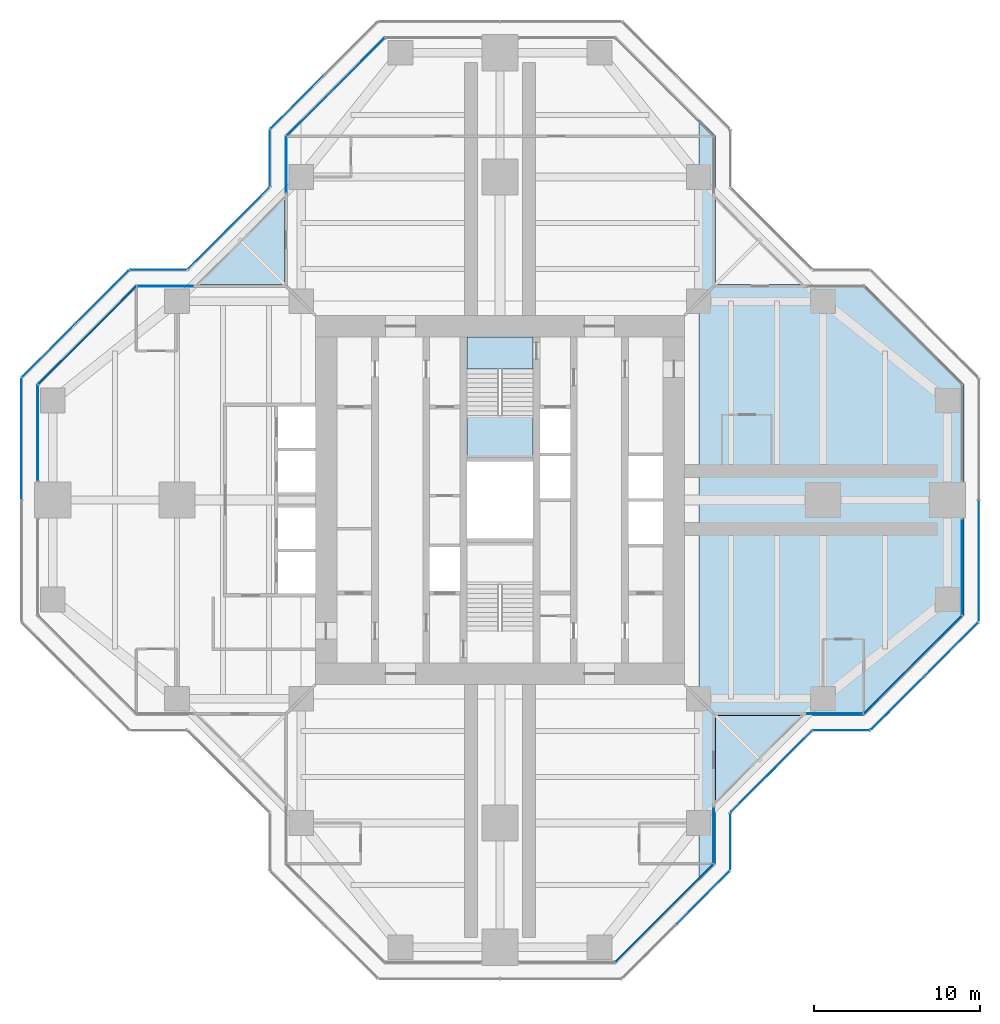
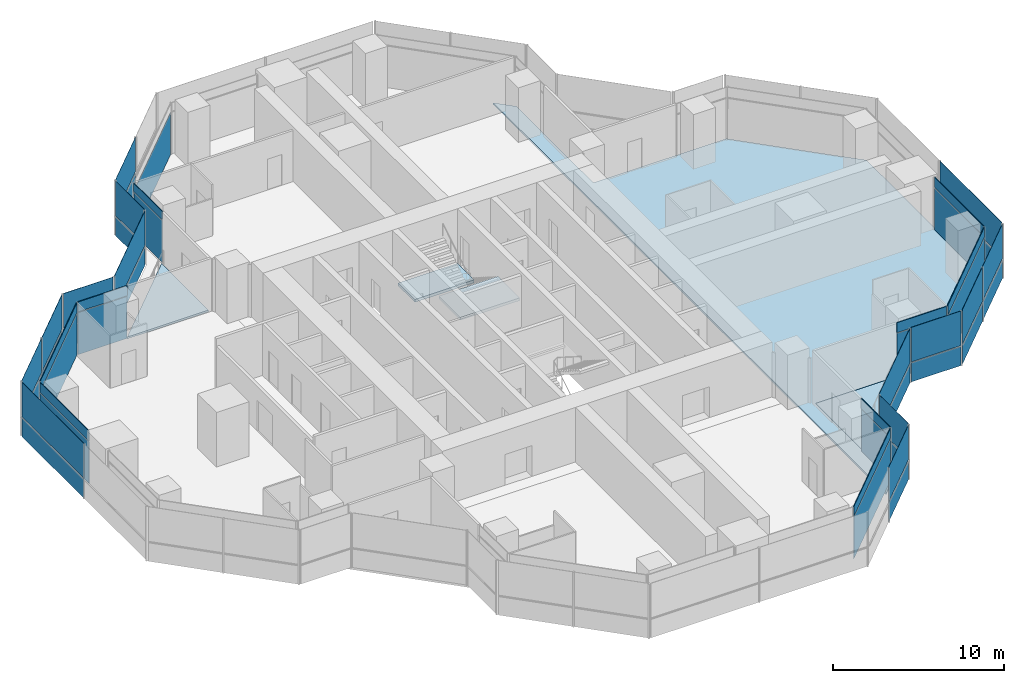
# One storey, part 11 of 17: 47 plates, 5 slabs, 23 elements without a shape of their own.
"""IFC4 building model written with IfcOpenShell, lengths in metres."""

from ifc_helpers import new_model, si_unit, direction, frame, origin, origin_2d, place, context, subcontext, project, spatial, polyline, rectangle, outline, extrude, material, layer, layer_set, type_object, element, aggregate, save


model = new_model("IFC4")

# Units and contexts
model_context = context("Model", 3, precision=1e-05, world=origin(), true_north=direction((0.0, 1.0)))
body_context = subcontext(model_context, "Body", "Model", "MODEL_VIEW")
ifc_project = project(units=[si_unit("LENGTHUNIT", "METRE"), si_unit("AREAUNIT", "SQUARE_METRE"), si_unit("VOLUMEUNIT", "CUBIC_METRE"), si_unit("PLANEANGLEUNIT", "RADIAN"), si_unit("MASSUNIT", "GRAM", prefix="KILO")], contexts=[model_context])

# Site, building, storey
site_placement = place(None, origin())
site = spatial("IfcSite", under=ifc_project, at=site_placement, CompositionType="ELEMENT")
building_placement = place(site_placement, origin())
building = spatial("IfcBuilding", under=site, at=building_placement, Name="Mizan Broadcast Tower", CompositionType="ELEMENT")
storey_placement = place(building_placement, frame((0.0, 0.0, 263.39990234375)))
storey = spatial("IfcBuildingStorey", under=building, at=storey_placement, Name="L62", CompositionType="ELEMENT", Elevation=263.39990234375)

# Slab
ifc_material_1 = material(Name="Concrete C32/40", Category="concrete")
ifc_layer_1 = layer(ifc_material_1, 0.1298828125)
ifc_layer_set_1 = layer_set([ifc_layer_1], Name="Concrete C32/40")
slab_type_1 = type_object("IfcSlabType", Name="COMPOSITE DECK SLAB 130", PredefinedType="FLOOR", material=ifc_layer_set_1)
slab_1_placement = place(storey_placement, frame((0.0, 0.0, -0.1298828125)))
element("IfcSlab", 1, at=slab_1_placement, inside=storey, type_object=slab_type_1, Name="Floor slab L62 east arm", PredefinedType="FLOOR", context=body_context, shape_type="SweptSolid", body=[
    extrude(outline(polyline([(13.0, 22.0), (12.0, 23.0), (12.0, -23.0), (13.0, -22.0), (13.0, -13.0), (22.0, -13.0), (28.0, -7.0), (28.0, 7.0), (22.0, 13.0), (13.0, 13.0), (13.0, 22.0)])), origin(), (0.0, 0.0, 1.0), 0.1298828125),
])

# Curtain wall, plate
ifc_material_2 = material(Name="Aluminium framed glazing", Category="aluminium")
curtain_wall_type_1 = type_object("IfcCurtainWallType", Name="INNER SKIN HIGH ZONE", PredefinedType="USERDEFINED", material=ifc_material_2)
curtain_wall_1_placement = place(storey_placement, origin())
curtain_wall_1 = element("IfcCurtainWall", 2, at=curtain_wall_1_placement, inside=storey, type_object=curtain_wall_type_1, Name="Inner skin high zone L62 E side", ObjectType="INNER SKIN HIGH ZONE", PredefinedType="USERDEFINED")
ifc_material_3 = material(Name="Double glazing, clear low-e", Category="glass")
ifc_layer_2 = layer(ifc_material_3, 0.028076171875)
ifc_layer_set_2 = layer_set([ifc_layer_2], Name="Double glazing, clear low-e")
plate_type_1 = type_object("IfcPlateType", Name="INNER SKIN GLAZING UNIT", PredefinedType="CURTAIN_PANEL", material=ifc_layer_set_2)
plate_1_placement = place(storey_placement, frame((20.229248046875, -12.89990234375, 0.0), z_axis=(0.0, 0.0, 1.0), x_axis=(1.0, 0.0, 0.0)))
plate_1 = element("IfcPlate", 3, at=plate_1_placement, type_object=plate_type_1, Name="Inner skin high zone L62 E side panel 1.1", PredefinedType="CURTAIN_PANEL", context=body_context, shape_type="SweptSolid", body=[
    extrude(rectangle(XDim=3.338623046875, YDim=0.028076171875, at=origin_2d()), origin(), (0.0, 0.0, 1.0), 3.0),
])

curtain_wall_2_placement = place(storey_placement, origin())
curtain_wall_2 = element("IfcCurtainWall", 4, at=curtain_wall_2_placement, inside=storey, type_object=curtain_wall_type_1, Name="Inner skin high zone L62 E chamfer", ObjectType="INNER SKIN HIGH ZONE", PredefinedType="USERDEFINED")
plate_2_placement = place(storey_placement, frame((24.92919921875, -9.92919921875, 0.0), z_axis=(0.0, 0.0, 1.0), x_axis=(0.707106781187, 0.707106781187, 0.0)))
plate_2 = element("IfcPlate", 5, at=plate_2_placement, type_object=plate_type_1, Name="Inner skin high zone L62 E chamfer panel 1.1", PredefinedType="CURTAIN_PANEL", context=body_context, shape_type="SweptSolid", body=[
    extrude(rectangle(XDim=8.282470703125, YDim=0.028076171875, at=origin_2d()), origin(), (0.0, 0.0, 1.0), 3.0),
])

curtain_wall_3_placement = place(storey_placement, origin())
curtain_wall_3 = element("IfcCurtainWall", 6, at=curtain_wall_3_placement, inside=storey, type_object=curtain_wall_type_1, Name="Inner skin high zone L62 E end", ObjectType="INNER SKIN HIGH ZONE", PredefinedType="USERDEFINED")
plate_3_placement = place(storey_placement, frame((27.89990234375, -4.029296875, 0.0), z_axis=(0.0, 0.0, 1.0), x_axis=(0.0, 1.0, 0.0)))
plate_3 = element("IfcPlate", 7, at=plate_3_placement, type_object=plate_type_1, Name="Inner skin high zone L62 E end panel 1.1", PredefinedType="CURTAIN_PANEL", context=body_context, shape_type="SweptSolid", body=[
    extrude(rectangle(XDim=5.738525390625, YDim=0.028076171875, at=origin_2d()), origin(), (0.0, 0.0, 1.0), 3.0),
])

curtain_wall_4_placement = place(storey_placement, origin())
curtain_wall_4 = element("IfcCurtainWall", 8, at=curtain_wall_4_placement, inside=storey, type_object=curtain_wall_type_1, Name="Inner skin high zone L62 N chamfer", ObjectType="INNER SKIN HIGH ZONE", PredefinedType="USERDEFINED")
plate_4_placement = place(storey_placement, frame((-9.92919921875, 24.92919921875, 0.0), z_axis=(0.0, 0.0, 1.0), x_axis=(-0.707106781187, -0.707106781187, 0.0)))
plate_4 = element("IfcPlate", 9, at=plate_4_placement, type_object=plate_type_1, Name="Inner skin high zone L62 N chamfer panel 1.1", PredefinedType="CURTAIN_PANEL", context=body_context, shape_type="SweptSolid", body=[
    extrude(rectangle(XDim=8.282470703125, YDim=0.028076171875, at=origin_2d()), origin(), (0.0, 0.0, 1.0), 3.0),
])
aggregate(curtain_wall_4, [plate_4])

curtain_wall_5_placement = place(storey_placement, origin())
curtain_wall_5 = element("IfcCurtainWall", 10, at=curtain_wall_5_placement, inside=storey, type_object=curtain_wall_type_1, Name="Inner skin high zone L62 N side", ObjectType="INNER SKIN HIGH ZONE", PredefinedType="USERDEFINED")
plate_5_placement = place(storey_placement, frame((-12.89990234375, 20.229248046875, 0.0), z_axis=(0.0, 0.0, 1.0), x_axis=(0.0, -1.0, 0.0)))
plate_5 = element("IfcPlate", 11, at=plate_5_placement, type_object=plate_type_1, Name="Inner skin high zone L62 N side panel 1.1", PredefinedType="CURTAIN_PANEL", context=body_context, shape_type="SweptSolid", body=[
    extrude(rectangle(XDim=3.338623046875, YDim=0.028076171875, at=origin_2d()), origin(), (0.0, 0.0, 1.0), 3.0),
])

curtain_wall_6_placement = place(storey_placement, origin())
curtain_wall_6 = element("IfcCurtainWall", 12, at=curtain_wall_6_placement, inside=storey, type_object=curtain_wall_type_1, Name="Inner skin high zone L62 W side", ObjectType="INNER SKIN HIGH ZONE", PredefinedType="USERDEFINED")
plate_6_placement = place(storey_placement, frame((-20.229248046875, 12.89990234375, 0.0), z_axis=(0.0, 0.0, 1.0), x_axis=(-1.0, 0.0, 0.0)))
plate_6 = element("IfcPlate", 13, at=plate_6_placement, type_object=plate_type_1, Name="Inner skin high zone L62 W side panel 1.1", PredefinedType="CURTAIN_PANEL", context=body_context, shape_type="SweptSolid", body=[
    extrude(rectangle(XDim=3.338623046875, YDim=0.028076171875, at=origin_2d()), origin(), (0.0, 0.0, 1.0), 3.0),
])

curtain_wall_7_placement = place(storey_placement, origin())
curtain_wall_7 = element("IfcCurtainWall", 14, at=curtain_wall_7_placement, inside=storey, type_object=curtain_wall_type_1, Name="Inner skin high zone L62 W chamfer", ObjectType="INNER SKIN HIGH ZONE", PredefinedType="USERDEFINED")
plate_7_placement = place(storey_placement, frame((-24.92919921875, 9.92919921875, 0.0), z_axis=(0.0, 0.0, 1.0), x_axis=(-0.707106781187, -0.707106781187, 0.0)))
plate_7 = element("IfcPlate", 15, at=plate_7_placement, type_object=plate_type_1, Name="Inner skin high zone L62 W chamfer panel 1.1", PredefinedType="CURTAIN_PANEL", context=body_context, shape_type="SweptSolid", body=[
    extrude(rectangle(XDim=8.282470703125, YDim=0.028076171875, at=origin_2d()), origin(), (0.0, 0.0, 1.0), 3.0),
])

curtain_wall_8_placement = place(storey_placement, origin())
curtain_wall_8 = element("IfcCurtainWall", 16, at=curtain_wall_8_placement, inside=storey, type_object=curtain_wall_type_1, Name="Inner skin high zone L62 W end", ObjectType="INNER SKIN HIGH ZONE", PredefinedType="USERDEFINED")
plate_8_placement = place(storey_placement, frame((-27.89990234375, 4.029296875, 0.0), z_axis=(0.0, 0.0, 1.0), x_axis=(0.0, -1.0, 0.0)))
plate_8 = element("IfcPlate", 17, at=plate_8_placement, type_object=plate_type_1, Name="Inner skin high zone L62 W end panel 1.1", PredefinedType="CURTAIN_PANEL", context=body_context, shape_type="SweptSolid", body=[
    extrude(rectangle(XDim=5.738525390625, YDim=0.028076171875, at=origin_2d()), origin(), (0.0, 0.0, 1.0), 3.0),
])

curtain_wall_9_placement = place(storey_placement, origin())
curtain_wall_9 = element("IfcCurtainWall", 18, at=curtain_wall_9_placement, inside=storey, type_object=curtain_wall_type_1, Name="Inner skin high zone L62 S chamfer", ObjectType="INNER SKIN HIGH ZONE", PredefinedType="USERDEFINED")
plate_9_placement = place(storey_placement, frame((9.92919921875, -24.92919921875, 0.0), z_axis=(0.0, 0.0, 1.0), x_axis=(0.707106781187, 0.707106781187, 0.0)))
plate_9 = element("IfcPlate", 19, at=plate_9_placement, type_object=plate_type_1, Name="Inner skin high zone L62 S chamfer panel 1.1", PredefinedType="CURTAIN_PANEL", context=body_context, shape_type="SweptSolid", body=[
    extrude(rectangle(XDim=8.282470703125, YDim=0.028076171875, at=origin_2d()), origin(), (0.0, 0.0, 1.0), 3.0),
])

curtain_wall_10_placement = place(storey_placement, origin())
curtain_wall_10 = element("IfcCurtainWall", 20, at=curtain_wall_10_placement, inside=storey, type_object=curtain_wall_type_1, Name="Inner skin high zone L62 S side", ObjectType="INNER SKIN HIGH ZONE", PredefinedType="USERDEFINED")
plate_10_placement = place(storey_placement, frame((12.89990234375, -20.229248046875, 0.0), z_axis=(0.0, 0.0, 1.0), x_axis=(0.0, 1.0, 0.0)))
plate_10 = element("IfcPlate", 21, at=plate_10_placement, type_object=plate_type_1, Name="Inner skin high zone L62 S side panel 1.1", PredefinedType="CURTAIN_PANEL", context=body_context, shape_type="SweptSolid", body=[
    extrude(rectangle(XDim=3.338623046875, YDim=0.028076171875, at=origin_2d()), origin(), (0.0, 0.0, 1.0), 3.0),
])

# Plate
ifc_material_4 = material(Name="Insulated aluminium spandrel panel, pale anodised", Category="aluminium")
ifc_layer_3 = layer(ifc_material_4, 0.050048828125)
ifc_layer_set_3 = layer_set([ifc_layer_3], Name="Insulated aluminium spandrel panel, pale anodised")
plate_type_2 = type_object("IfcPlateType", Name="INNER SKIN SPANDREL PANEL", PredefinedType="CURTAIN_PANEL", material=ifc_layer_set_3)
plate_11_placement = place(storey_placement, frame((20.229248046875, -12.89990234375, 3.06005859375), z_axis=(0.0, 0.0, 1.0), x_axis=(1.0, 0.0, 0.0)))
plate_11 = element("IfcPlate", 22, at=plate_11_placement, type_object=plate_type_2, Name="Inner skin high zone L62 E side panel 1.2", PredefinedType="CURTAIN_PANEL", context=body_context, shape_type="SweptSolid", body=[
    extrude(rectangle(XDim=3.338623046875, YDim=0.050048828125, at=origin_2d()), origin(), (0.0, 0.0, 1.0), 0.7099609375),
])

aggregate(curtain_wall_1, [plate_1, plate_11])

plate_12_placement = place(storey_placement, frame((24.92919921875, -9.92919921875, 3.06005859375), z_axis=(0.0, 0.0, 1.0), x_axis=(0.707106781187, 0.707106781187, 0.0)))
plate_12 = element("IfcPlate", 23, at=plate_12_placement, type_object=plate_type_2, Name="Inner skin high zone L62 E chamfer panel 1.2", PredefinedType="CURTAIN_PANEL", context=body_context, shape_type="SweptSolid", body=[
    extrude(rectangle(XDim=8.282470703125, YDim=0.050048828125, at=origin_2d()), origin(), (0.0, 0.0, 1.0), 0.7099609375),
])

aggregate(curtain_wall_2, [plate_2, plate_12])

plate_13_placement = place(storey_placement, frame((27.89990234375, -4.029296875, 3.06005859375), z_axis=(0.0, 0.0, 1.0), x_axis=(0.0, 1.0, 0.0)))
plate_13 = element("IfcPlate", 24, at=plate_13_placement, type_object=plate_type_2, Name="Inner skin high zone L62 E end panel 1.2", PredefinedType="CURTAIN_PANEL", context=body_context, shape_type="SweptSolid", body=[
    extrude(rectangle(XDim=5.738525390625, YDim=0.050048828125, at=origin_2d()), origin(), (0.0, 0.0, 1.0), 0.7099609375),
])

aggregate(curtain_wall_3, [plate_3, plate_13])

plate_14_placement = place(storey_placement, frame((-12.89990234375, 20.229248046875, 3.06005859375), z_axis=(0.0, 0.0, 1.0), x_axis=(0.0, -1.0, 0.0)))
plate_14 = element("IfcPlate", 25, at=plate_14_placement, type_object=plate_type_2, Name="Inner skin high zone L62 N side panel 1.2", PredefinedType="CURTAIN_PANEL", context=body_context, shape_type="SweptSolid", body=[
    extrude(rectangle(XDim=3.338623046875, YDim=0.050048828125, at=origin_2d()), origin(), (0.0, 0.0, 1.0), 0.590087890625),
])

aggregate(curtain_wall_5, [plate_5, plate_14])

plate_15_placement = place(storey_placement, frame((-20.229248046875, 12.89990234375, 3.06005859375), z_axis=(0.0, 0.0, 1.0), x_axis=(-1.0, 0.0, 0.0)))
plate_15 = element("IfcPlate", 26, at=plate_15_placement, type_object=plate_type_2, Name="Inner skin high zone L62 W side panel 1.2", PredefinedType="CURTAIN_PANEL", context=body_context, shape_type="SweptSolid", body=[
    extrude(rectangle(XDim=3.338623046875, YDim=0.050048828125, at=origin_2d()), origin(), (0.0, 0.0, 1.0), 0.7099609375),
])

aggregate(curtain_wall_6, [plate_6, plate_15])

plate_16_placement = place(storey_placement, frame((-24.92919921875, 9.92919921875, 3.06005859375), z_axis=(0.0, 0.0, 1.0), x_axis=(-0.707106781187, -0.707106781187, 0.0)))
plate_16 = element("IfcPlate", 27, at=plate_16_placement, type_object=plate_type_2, Name="Inner skin high zone L62 W chamfer panel 1.2", PredefinedType="CURTAIN_PANEL", context=body_context, shape_type="SweptSolid", body=[
    extrude(rectangle(XDim=8.282470703125, YDim=0.050048828125, at=origin_2d()), origin(), (0.0, 0.0, 1.0), 0.7099609375),
])

aggregate(curtain_wall_7, [plate_7, plate_16])

plate_17_placement = place(storey_placement, frame((-27.89990234375, 4.029296875, 3.06005859375), z_axis=(0.0, 0.0, 1.0), x_axis=(0.0, -1.0, 0.0)))
plate_17 = element("IfcPlate", 28, at=plate_17_placement, type_object=plate_type_2, Name="Inner skin high zone L62 W end panel 1.2", PredefinedType="CURTAIN_PANEL", context=body_context, shape_type="SweptSolid", body=[
    extrude(rectangle(XDim=5.738525390625, YDim=0.050048828125, at=origin_2d()), origin(), (0.0, 0.0, 1.0), 0.7099609375),
])

aggregate(curtain_wall_8, [plate_8, plate_17])

plate_18_placement = place(storey_placement, frame((9.92919921875, -24.92919921875, 3.06005859375), z_axis=(0.0, 0.0, 1.0), x_axis=(0.707106781187, 0.707106781187, 0.0)))
plate_18 = element("IfcPlate", 29, at=plate_18_placement, type_object=plate_type_2, Name="Inner skin high zone L62 S chamfer panel 1.2", PredefinedType="CURTAIN_PANEL", context=body_context, shape_type="SweptSolid", body=[
    extrude(rectangle(XDim=8.282470703125, YDim=0.050048828125, at=origin_2d()), origin(), (0.0, 0.0, 1.0), 0.7099609375),
])

aggregate(curtain_wall_9, [plate_9, plate_18])

plate_19_placement = place(storey_placement, frame((12.89990234375, -20.229248046875, 3.06005859375), z_axis=(0.0, 0.0, 1.0), x_axis=(0.0, 1.0, 0.0)))
plate_19 = element("IfcPlate", 30, at=plate_19_placement, type_object=plate_type_2, Name="Inner skin high zone L62 S side panel 1.2", PredefinedType="CURTAIN_PANEL", context=body_context, shape_type="SweptSolid", body=[
    extrude(rectangle(XDim=3.338623046875, YDim=0.050048828125, at=origin_2d()), origin(), (0.0, 0.0, 1.0), 0.7099609375),
])

aggregate(curtain_wall_10, [plate_10, plate_19])

# Curtain wall, plates
ifc_material_5 = material(Name="Aluminium framed glazing", Category="aluminium")
curtain_wall_type_2 = type_object("IfcCurtainWallType", Name="OUTER SKIN", PredefinedType="USERDEFINED", material=ifc_material_5)
curtain_wall_11_placement = place(storey_placement, origin())
curtain_wall_11 = element("IfcCurtainWall", 31, at=curtain_wall_11_placement, inside=storey, type_object=curtain_wall_type_2, Name="Outer skin L62 E chamfer", ObjectType="OUTER SKIN", PredefinedType="USERDEFINED")
ifc_material_6 = material(Name="Laminated clear glass", Category="glass")
ifc_layer_4 = layer(ifc_material_6, 0.02001953125)
ifc_layer_set_4 = layer_set([ifc_layer_4], Name="Laminated clear glass")
plate_type_3 = type_object("IfcPlateType", Name="OUTER SKIN CLEAR GLASS", PredefinedType="CURTAIN_PANEL", material=ifc_layer_set_4)
plate_20_placement = place(storey_placement, frame((24.018798828125, -12.254150390625, 0.0), z_axis=(0.0, 0.0, 1.0), x_axis=(0.707106781187, 0.707106781187, 0.0)))
plate_20 = element("IfcPlate", 32, at=plate_20_placement, type_object=plate_type_3, Name="Outer skin L62 E chamfer panel 1.1", PredefinedType="CURTAIN_PANEL", context=body_context, shape_type="SweptSolid", body=[
    extrude(rectangle(XDim=4.495361328125, YDim=0.02001953125, at=origin_2d()), origin(), (0.0, 0.0, 1.0), 1.3701171875),
])
plate_21_placement = place(storey_placement, frame((24.018798828125, -12.254150390625, 1.43017578125), z_axis=(0.0, 0.0, 1.0), x_axis=(0.707106781187, 0.707106781187, 0.0)))
plate_21 = element("IfcPlate", 33, at=plate_21_placement, type_object=plate_type_3, Name="Outer skin L62 E chamfer panel 1.2", PredefinedType="CURTAIN_PANEL", context=body_context, shape_type="SweptSolid", body=[
    extrude(rectangle(XDim=4.495361328125, YDim=0.02001953125, at=origin_2d()), origin(), (0.0, 0.0, 1.0), 2.469970703125),
])

curtain_wall_12_placement = place(storey_placement, origin())
curtain_wall_12 = element("IfcCurtainWall", 34, at=curtain_wall_12_placement, inside=storey, type_object=curtain_wall_type_2, Name="Outer skin L62 E end", ObjectType="OUTER SKIN", PredefinedType="USERDEFINED")
plate_22_placement = place(storey_placement, frame((28.89990234375, -3.66650390625, 0.0), z_axis=(0.0, 0.0, 1.0), x_axis=(0.0, 1.0, 0.0)))
plate_22 = element("IfcPlate", 35, at=plate_22_placement, type_object=plate_type_3, Name="Outer skin L62 E end panel 1.1", PredefinedType="CURTAIN_PANEL", context=body_context, shape_type="SweptSolid", body=[
    extrude(rectangle(XDim=7.252685546875, YDim=0.02001953125, at=origin_2d()), origin(), (0.0, 0.0, 1.0), 1.3701171875),
])
plate_23_placement = place(storey_placement, frame((28.89990234375, -3.66650390625, 1.43017578125), z_axis=(0.0, 0.0, 1.0), x_axis=(0.0, 1.0, 0.0)))
plate_23 = element("IfcPlate", 36, at=plate_23_placement, type_object=plate_type_3, Name="Outer skin L62 E end panel 1.2", PredefinedType="CURTAIN_PANEL", context=body_context, shape_type="SweptSolid", body=[
    extrude(rectangle(XDim=7.252685546875, YDim=0.02001953125, at=origin_2d()), origin(), (0.0, 0.0, 1.0), 2.469970703125),
])
aggregate(curtain_wall_12, [plate_22, plate_23])

curtain_wall_13_placement = place(storey_placement, origin())
curtain_wall_13 = element("IfcCurtainWall", 37, at=curtain_wall_13_placement, inside=storey, type_object=curtain_wall_type_2, Name="Outer skin L62 N side", ObjectType="OUTER SKIN", PredefinedType="USERDEFINED")
plate_24_placement = place(storey_placement, frame((-13.89990234375, 20.622802734375, 0.0), z_axis=(0.0, 0.0, 1.0), x_axis=(0.0, -1.0, 0.0)))
plate_24 = element("IfcPlate", 38, at=plate_24_placement, type_object=plate_type_3, Name="Outer skin L62 N side panel 1.1", PredefinedType="CURTAIN_PANEL", context=body_context, shape_type="SweptSolid", body=[
    extrude(rectangle(XDim=3.340087890625, YDim=0.02001953125, at=origin_2d()), origin(), (0.0, 0.0, 1.0), 1.3701171875),
])
plate_25_placement = place(storey_placement, frame((-13.89990234375, 20.622802734375, 1.43017578125), z_axis=(0.0, 0.0, 1.0), x_axis=(0.0, -1.0, 0.0)))
plate_25 = element("IfcPlate", 39, at=plate_25_placement, type_object=plate_type_3, Name="Outer skin L62 N side panel 1.2", PredefinedType="CURTAIN_PANEL", context=body_context, shape_type="SweptSolid", body=[
    extrude(rectangle(XDim=3.340087890625, YDim=0.02001953125, at=origin_2d()), origin(), (0.0, 0.0, 1.0), 2.469970703125),
])
aggregate(curtain_wall_13, [plate_24, plate_25])

curtain_wall_14_placement = place(storey_placement, origin())
curtain_wall_14 = element("IfcCurtainWall", 40, at=curtain_wall_14_placement, inside=storey, type_object=curtain_wall_type_2, Name="Outer skin L62 W chamfer", ObjectType="OUTER SKIN", PredefinedType="USERDEFINED")
plate_26_placement = place(storey_placement, frame((-16.386474609375, 16.386474609375, 0.0), z_axis=(0.0, 0.0, 1.0), x_axis=(-0.707106781187, -0.707106781187, 0.0)))
plate_26 = element("IfcPlate", 41, at=plate_26_placement, type_object=plate_type_3, Name="Outer skin L62 W chamfer panel 1.1", PredefinedType="CURTAIN_PANEL", context=body_context, shape_type="SweptSolid", body=[
    extrude(rectangle(XDim=6.87255859375, YDim=0.02001953125, at=origin_2d()), origin(), (0.0, 0.0, 1.0), 1.3701171875),
])
plate_27_placement = place(storey_placement, frame((-16.386474609375, 16.386474609375, 1.43017578125), z_axis=(0.0, 0.0, 1.0), x_axis=(-0.707106781187, -0.707106781187, 0.0)))
plate_27 = element("IfcPlate", 42, at=plate_27_placement, type_object=plate_type_3, Name="Outer skin L62 W chamfer panel 1.2", PredefinedType="CURTAIN_PANEL", context=body_context, shape_type="SweptSolid", body=[
    extrude(rectangle(XDim=6.87255859375, YDim=0.02001953125, at=origin_2d()), origin(), (0.0, 0.0, 1.0), 2.469970703125),
])
aggregate(curtain_wall_14, [plate_26, plate_27])

curtain_wall_15_placement = place(storey_placement, origin())
curtain_wall_15 = element("IfcCurtainWall", 43, at=curtain_wall_15_placement, inside=storey, type_object=curtain_wall_type_2, Name="Outer skin L62 W side", ObjectType="OUTER SKIN", PredefinedType="USERDEFINED")
plate_28_placement = place(storey_placement, frame((-20.622802734375, 13.89990234375, 0.0), z_axis=(0.0, 0.0, 1.0), x_axis=(-1.0, 0.0, 0.0)))
plate_28 = element("IfcPlate", 44, at=plate_28_placement, type_object=plate_type_3, Name="Outer skin L62 W side panel 1.1", PredefinedType="CURTAIN_PANEL", context=body_context, shape_type="SweptSolid", body=[
    extrude(rectangle(XDim=3.340087890625, YDim=0.02001953125, at=origin_2d()), origin(), (0.0, 0.0, 1.0), 1.3701171875),
])
plate_29_placement = place(storey_placement, frame((-20.622802734375, 13.89990234375, 1.43017578125), z_axis=(0.0, 0.0, 1.0), x_axis=(-1.0, 0.0, 0.0)))
plate_29 = element("IfcPlate", 45, at=plate_29_placement, type_object=plate_type_3, Name="Outer skin L62 W side panel 1.2", PredefinedType="CURTAIN_PANEL", context=body_context, shape_type="SweptSolid", body=[
    extrude(rectangle(XDim=3.340087890625, YDim=0.02001953125, at=origin_2d()), origin(), (0.0, 0.0, 1.0), 2.469970703125),
])
aggregate(curtain_wall_15, [plate_28, plate_29])

curtain_wall_16_placement = place(storey_placement, origin())
curtain_wall_16 = element("IfcCurtainWall", 46, at=curtain_wall_16_placement, inside=storey, type_object=curtain_wall_type_2, Name="Outer skin L62 W chamfer", ObjectType="OUTER SKIN", PredefinedType="USERDEFINED")
plate_30_placement = place(storey_placement, frame((-24.018798828125, 12.254150390625, 0.0), z_axis=(0.0, 0.0, 1.0), x_axis=(-0.707106781187, -0.707106781187, 0.0)))
plate_30 = element("IfcPlate", 47, at=plate_30_placement, type_object=plate_type_3, Name="Outer skin L62 W chamfer panel 1.1", PredefinedType="CURTAIN_PANEL", context=body_context, shape_type="SweptSolid", body=[
    extrude(rectangle(XDim=4.495361328125, YDim=0.02001953125, at=origin_2d()), origin(), (0.0, 0.0, 1.0), 1.3701171875),
])
plate_31_placement = place(storey_placement, frame((-24.018798828125, 12.254150390625, 1.43017578125), z_axis=(0.0, 0.0, 1.0), x_axis=(-0.707106781187, -0.707106781187, 0.0)))
plate_31 = element("IfcPlate", 48, at=plate_31_placement, type_object=plate_type_3, Name="Outer skin L62 W chamfer panel 1.2", PredefinedType="CURTAIN_PANEL", context=body_context, shape_type="SweptSolid", body=[
    extrude(rectangle(XDim=4.495361328125, YDim=0.02001953125, at=origin_2d()), origin(), (0.0, 0.0, 1.0), 2.469970703125),
])

curtain_wall_17_placement = place(storey_placement, origin())
curtain_wall_17 = element("IfcCurtainWall", 49, at=curtain_wall_17_placement, inside=storey, type_object=curtain_wall_type_2, Name="Outer skin L62 W end", ObjectType="OUTER SKIN", PredefinedType="USERDEFINED")
plate_32_placement = place(storey_placement, frame((-28.89990234375, 3.66650390625, 0.0), z_axis=(0.0, 0.0, 1.0), x_axis=(0.0, -1.0, 0.0)))
plate_32 = element("IfcPlate", 50, at=plate_32_placement, type_object=plate_type_3, Name="Outer skin L62 W end panel 1.1", PredefinedType="CURTAIN_PANEL", context=body_context, shape_type="SweptSolid", body=[
    extrude(rectangle(XDim=7.252685546875, YDim=0.02001953125, at=origin_2d()), origin(), (0.0, 0.0, 1.0), 1.3701171875),
])
plate_33_placement = place(storey_placement, frame((-28.89990234375, 3.66650390625, 1.43017578125), z_axis=(0.0, 0.0, 1.0), x_axis=(0.0, -1.0, 0.0)))
plate_33 = element("IfcPlate", 51, at=plate_33_placement, type_object=plate_type_3, Name="Outer skin L62 W end panel 1.2", PredefinedType="CURTAIN_PANEL", context=body_context, shape_type="SweptSolid", body=[
    extrude(rectangle(XDim=7.252685546875, YDim=0.02001953125, at=origin_2d()), origin(), (0.0, 0.0, 1.0), 2.469970703125),
])
aggregate(curtain_wall_17, [plate_32, plate_33])

curtain_wall_18_placement = place(storey_placement, origin())
curtain_wall_18 = element("IfcCurtainWall", 52, at=curtain_wall_18_placement, inside=storey, type_object=curtain_wall_type_2, Name="Outer skin L62 S side", ObjectType="OUTER SKIN", PredefinedType="USERDEFINED")
plate_34_placement = place(storey_placement, frame((13.89990234375, -20.622802734375, 0.0), z_axis=(0.0, 0.0, 1.0), x_axis=(0.0, 1.0, 0.0)))
plate_34 = element("IfcPlate", 53, at=plate_34_placement, type_object=plate_type_3, Name="Outer skin L62 S side panel 1.1", PredefinedType="CURTAIN_PANEL", context=body_context, shape_type="SweptSolid", body=[
    extrude(rectangle(XDim=3.340087890625, YDim=0.02001953125, at=origin_2d()), origin(), (0.0, 0.0, 1.0), 1.3701171875),
])
plate_35_placement = place(storey_placement, frame((13.89990234375, -20.622802734375, 1.43017578125), z_axis=(0.0, 0.0, 1.0), x_axis=(0.0, 1.0, 0.0)))
plate_35 = element("IfcPlate", 54, at=plate_35_placement, type_object=plate_type_3, Name="Outer skin L62 S side panel 1.2", PredefinedType="CURTAIN_PANEL", context=body_context, shape_type="SweptSolid", body=[
    extrude(rectangle(XDim=3.340087890625, YDim=0.02001953125, at=origin_2d()), origin(), (0.0, 0.0, 1.0), 2.469970703125),
])
aggregate(curtain_wall_18, [plate_34, plate_35])

curtain_wall_19_placement = place(storey_placement, origin())
curtain_wall_19 = element("IfcCurtainWall", 55, at=curtain_wall_19_placement, inside=storey, type_object=curtain_wall_type_2, Name="Outer skin L62 E chamfer", ObjectType="OUTER SKIN", PredefinedType="USERDEFINED")
plate_36_placement = place(storey_placement, frame((16.386474609375, -16.386474609375, 0.0), z_axis=(0.0, 0.0, 1.0), x_axis=(0.707106781187, 0.707106781187, 0.0)))
plate_36 = element("IfcPlate", 56, at=plate_36_placement, type_object=plate_type_3, Name="Outer skin L62 E chamfer panel 1.1", PredefinedType="CURTAIN_PANEL", context=body_context, shape_type="SweptSolid", body=[
    extrude(rectangle(XDim=6.87255859375, YDim=0.02001953125, at=origin_2d()), origin(), (0.0, 0.0, 1.0), 1.3701171875),
])
plate_37_placement = place(storey_placement, frame((16.386474609375, -16.386474609375, 1.43017578125), z_axis=(0.0, 0.0, 1.0), x_axis=(0.707106781187, 0.707106781187, 0.0)))
plate_37 = element("IfcPlate", 57, at=plate_37_placement, type_object=plate_type_3, Name="Outer skin L62 E chamfer panel 1.2", PredefinedType="CURTAIN_PANEL", context=body_context, shape_type="SweptSolid", body=[
    extrude(rectangle(XDim=6.87255859375, YDim=0.02001953125, at=origin_2d()), origin(), (0.0, 0.0, 1.0), 2.469970703125),
])
aggregate(curtain_wall_19, [plate_36, plate_37])

curtain_wall_20_placement = place(storey_placement, origin())
curtain_wall_20 = element("IfcCurtainWall", 58, at=curtain_wall_20_placement, inside=storey, type_object=curtain_wall_type_2, Name="Outer skin L62 E side", ObjectType="OUTER SKIN", PredefinedType="USERDEFINED")
plate_38_placement = place(storey_placement, frame((20.622802734375, -13.89990234375, 0.0), z_axis=(0.0, 0.0, 1.0), x_axis=(1.0, 0.0, 0.0)))
plate_38 = element("IfcPlate", 59, at=plate_38_placement, type_object=plate_type_3, Name="Outer skin L62 E side panel 1.1", PredefinedType="CURTAIN_PANEL", context=body_context, shape_type="SweptSolid", body=[
    extrude(rectangle(XDim=3.340087890625, YDim=0.02001953125, at=origin_2d()), origin(), (0.0, 0.0, 1.0), 1.3701171875),
])
plate_39_placement = place(storey_placement, frame((20.622802734375, -13.89990234375, 1.43017578125), z_axis=(0.0, 0.0, 1.0), x_axis=(1.0, 0.0, 0.0)))
plate_39 = element("IfcPlate", 60, at=plate_39_placement, type_object=plate_type_3, Name="Outer skin L62 E side panel 1.2", PredefinedType="CURTAIN_PANEL", context=body_context, shape_type="SweptSolid", body=[
    extrude(rectangle(XDim=3.340087890625, YDim=0.02001953125, at=origin_2d()), origin(), (0.0, 0.0, 1.0), 2.469970703125),
])
aggregate(curtain_wall_20, [plate_38, plate_39])

# Plate
ifc_material_7 = material(Name="Perforated aluminium, pale anodised", Category="aluminium")
ifc_layer_5 = layer(ifc_material_7, 0.011962890625)
ifc_layer_set_5 = layer_set([ifc_layer_5], Name="Perforated aluminium, pale anodised")
plate_type_4 = type_object("IfcPlateType", Name="OUTER SKIN PERFORATED SCREEN", PredefinedType="USERDEFINED", material=ifc_layer_set_5)
plate_40_placement = place(storey_placement, frame((27.254150390625, -9.018798828125, 0.0), z_axis=(0.0, 0.0, 1.0), x_axis=(0.707106781187, 0.707106781187, 0.0)))
plate_40 = element("IfcPlate", 61, at=plate_40_placement, type_object=plate_type_4, Name="Outer skin L62 E chamfer panel 2.1", ObjectType="SCREEN", PredefinedType="USERDEFINED", context=body_context, shape_type="SweptSolid", body=[
    extrude(rectangle(XDim=4.495361328125, YDim=0.011962890625, at=origin_2d()), origin(), (0.0, 0.0, 1.0), 1.3701171875),
])

plate_41_placement = place(storey_placement, frame((27.254150390625, -9.018798828125, 1.43017578125), z_axis=(0.0, 0.0, 1.0), x_axis=(0.707106781187, 0.707106781187, 0.0)))
plate_41 = element("IfcPlate", 62, at=plate_41_placement, type_object=plate_type_4, Name="Outer skin L62 E chamfer panel 2.2", ObjectType="SCREEN", PredefinedType="USERDEFINED", context=body_context, shape_type="SweptSolid", body=[
    extrude(rectangle(XDim=4.495361328125, YDim=0.011962890625, at=origin_2d()), origin(), (0.0, 0.0, 1.0), 2.469970703125),
])

aggregate(curtain_wall_11, [plate_20, plate_21, plate_40, plate_41])

# Curtain wall, plates
curtain_wall_21_placement = place(storey_placement, origin())
curtain_wall_21 = element("IfcCurtainWall", 63, at=curtain_wall_21_placement, inside=storey, type_object=curtain_wall_type_2, Name="Outer skin L62 N chamfer", ObjectType="OUTER SKIN", PredefinedType="USERDEFINED")
plate_42_placement = place(storey_placement, frame((-12.254150390625, 24.018798828125, 0.0), z_axis=(0.0, 0.0, 1.0), x_axis=(-0.707106781187, -0.707106781187, 0.0)))
plate_42 = element("IfcPlate", 64, at=plate_42_placement, type_object=plate_type_4, Name="Outer skin L62 N chamfer panel 2.1", ObjectType="SCREEN", PredefinedType="USERDEFINED", context=body_context, shape_type="SweptSolid", body=[
    extrude(rectangle(XDim=4.495361328125, YDim=0.011962890625, at=origin_2d()), origin(), (0.0, 0.0, 1.0), 1.3701171875),
])
plate_43_placement = place(storey_placement, frame((-12.254150390625, 24.018798828125, 1.43017578125), z_axis=(0.0, 0.0, 1.0), x_axis=(-0.707106781187, -0.707106781187, 0.0)))
plate_43 = element("IfcPlate", 65, at=plate_43_placement, type_object=plate_type_4, Name="Outer skin L62 N chamfer panel 2.2", ObjectType="SCREEN", PredefinedType="USERDEFINED", context=body_context, shape_type="SweptSolid", body=[
    extrude(rectangle(XDim=4.495361328125, YDim=0.011962890625, at=origin_2d()), origin(), (0.0, 0.0, 1.0), 2.469970703125),
])
aggregate(curtain_wall_21, [plate_42, plate_43])

# Plate
plate_44_placement = place(storey_placement, frame((-27.254150390625, 9.018798828125, 0.0), z_axis=(0.0, 0.0, 1.0), x_axis=(-0.707106781187, -0.707106781187, 0.0)))
plate_44 = element("IfcPlate", 66, at=plate_44_placement, type_object=plate_type_4, Name="Outer skin L62 W chamfer panel 2.1", ObjectType="SCREEN", PredefinedType="USERDEFINED", context=body_context, shape_type="SweptSolid", body=[
    extrude(rectangle(XDim=4.495361328125, YDim=0.011962890625, at=origin_2d()), origin(), (0.0, 0.0, 1.0), 1.3701171875),
])

plate_45_placement = place(storey_placement, frame((-27.254150390625, 9.018798828125, 1.43017578125), z_axis=(0.0, 0.0, 1.0), x_axis=(-0.707106781187, -0.707106781187, 0.0)))
plate_45 = element("IfcPlate", 67, at=plate_45_placement, type_object=plate_type_4, Name="Outer skin L62 W chamfer panel 2.2", ObjectType="SCREEN", PredefinedType="USERDEFINED", context=body_context, shape_type="SweptSolid", body=[
    extrude(rectangle(XDim=4.495361328125, YDim=0.011962890625, at=origin_2d()), origin(), (0.0, 0.0, 1.0), 2.469970703125),
])

aggregate(curtain_wall_16, [plate_30, plate_31, plate_44, plate_45])

# Curtain wall, plates
curtain_wall_22_placement = place(storey_placement, origin())
curtain_wall_22 = element("IfcCurtainWall", 68, at=curtain_wall_22_placement, inside=storey, type_object=curtain_wall_type_2, Name="Outer skin L62 S chamfer", ObjectType="OUTER SKIN", PredefinedType="USERDEFINED")
plate_46_placement = place(storey_placement, frame((12.254150390625, -24.018798828125, 0.0), z_axis=(0.0, 0.0, 1.0), x_axis=(0.707106781187, 0.707106781187, 0.0)))
plate_46 = element("IfcPlate", 69, at=plate_46_placement, type_object=plate_type_4, Name="Outer skin L62 S chamfer panel 2.1", ObjectType="SCREEN", PredefinedType="USERDEFINED", context=body_context, shape_type="SweptSolid", body=[
    extrude(rectangle(XDim=4.495361328125, YDim=0.011962890625, at=origin_2d()), origin(), (0.0, 0.0, 1.0), 1.3701171875),
])
plate_47_placement = place(storey_placement, frame((12.254150390625, -24.018798828125, 1.43017578125), z_axis=(0.0, 0.0, 1.0), x_axis=(0.707106781187, 0.707106781187, 0.0)))
plate_47 = element("IfcPlate", 70, at=plate_47_placement, type_object=plate_type_4, Name="Outer skin L62 S chamfer panel 2.2", ObjectType="SCREEN", PredefinedType="USERDEFINED", context=body_context, shape_type="SweptSolid", body=[
    extrude(rectangle(XDim=4.495361328125, YDim=0.011962890625, at=origin_2d()), origin(), (0.0, 0.0, 1.0), 2.469970703125),
])
aggregate(curtain_wall_22, [plate_46, plate_47])

# Stair, slabs
ifc_material_8 = material(Name="Concrete C40/50", Category="concrete")
stair_type = type_object("IfcStairType", Name="EXIT STAIR", PredefinedType="HALF_TURN_STAIR", material=ifc_material_8)
stair_placement = place(storey_placement, origin())
stair = element("IfcStair", 71, at=stair_placement, inside=storey, type_object=stair_type, Name="Stair B L62", PredefinedType="HALF_TURN_STAIR")
ifc_material_9 = material(Name="Concrete C40/50", Category="concrete")
ifc_layer_6 = layer(ifc_material_9, 0.199951171875)
ifc_layer_set_6 = layer_set([ifc_layer_6], Name="Concrete C40/50")
slab_type_2 = type_object("IfcSlabType", Name="STAIR LANDING 200", PredefinedType="LANDING", material=ifc_layer_set_6)
slab_2_placement = place(storey_placement, frame((0.0, 0.0, -0.199951171875)))
slab_2 = element("IfcSlab", 72, at=slab_2_placement, type_object=slab_type_2, Name="B landing 1", PredefinedType="LANDING", context=body_context, shape_type="SweptSolid", body=[
    extrude(outline(polyline([(2.0, 9.85009765625), (2.0, 7.89990234375), (-2.0, 7.89990234375), (-2.0, 9.85009765625), (2.0, 9.85009765625)])), origin(), (0.0, 0.0, 1.0), 0.199951171875),
])
slab_3_placement = place(storey_placement, frame((0.0, 0.0, 1.75)))
slab_3 = element("IfcSlab", 73, at=slab_3_placement, type_object=slab_type_2, Name="B landing 2", PredefinedType="LANDING", context=body_context, shape_type="SweptSolid", body=[
    extrude(outline(polyline([(2.0, 5.10009765625), (2.0, 2.574951171875), (-2.0, 2.574951171875), (-2.0, 5.10009765625), (2.0, 5.10009765625)])), origin(), (0.0, 0.0, 1.0), 0.2001953125),
])
aggregate(stair, [slab_2, slab_3])

# Slabs
ifc_material_10 = material(Name="Concrete C32/40", Category="concrete")
ifc_layer_7 = layer(ifc_material_10, 0.1298828125)
ifc_layer_set_7 = layer_set([ifc_layer_7], Name="Concrete C32/40")
slab_type_3 = type_object("IfcSlabType", Name="WINTER GARDEN SLAB 130", PredefinedType="FLOOR", material=ifc_layer_set_7)
slab_4_placement = place(storey_placement, frame((0.0, 0.0, -0.1298828125)))
element("IfcSlab", 74, at=slab_4_placement, inside=storey, type_object=slab_type_3, Name="Winter garden slab L62 N", PredefinedType="FLOOR", context=body_context, shape_type="SweptSolid", body=[
    extrude(outline(polyline([(-13.0, 13.0), (-13.0, 18.5), (-18.5, 13.0), (-13.0, 13.0)])), origin(), (0.0, 0.0, 1.0), 0.1298828125),
])
slab_5_placement = place(storey_placement, frame((0.0, 0.0, -0.1298828125)))
element("IfcSlab", 75, at=slab_5_placement, inside=storey, type_object=slab_type_3, Name="Winter garden slab L62 S", PredefinedType="FLOOR", context=body_context, shape_type="SweptSolid", body=[
    extrude(outline(polyline([(13.0, -13.0), (13.0, -18.5), (18.5, -13.0), (13.0, -13.0)])), origin(), (0.0, 0.0, 1.0), 0.1298828125),
])

save(model, "model.ifc")
